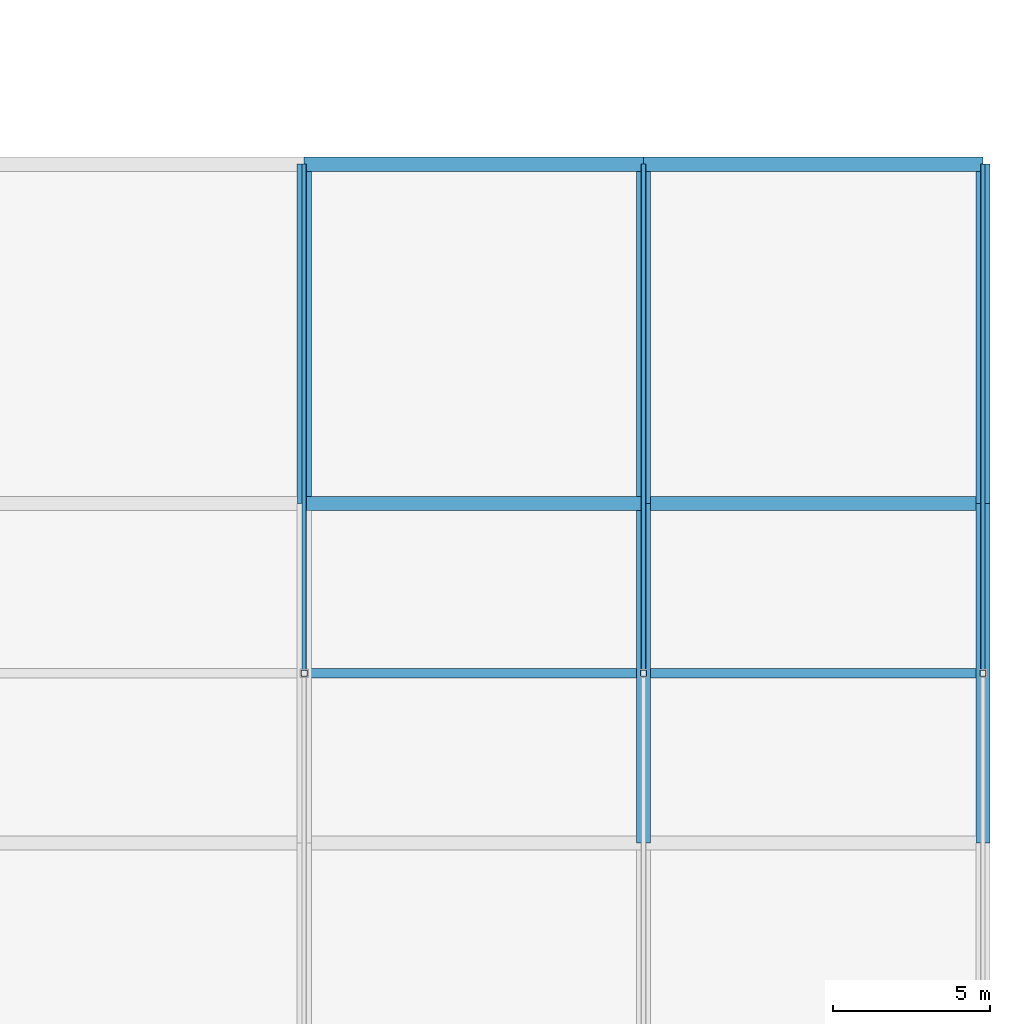
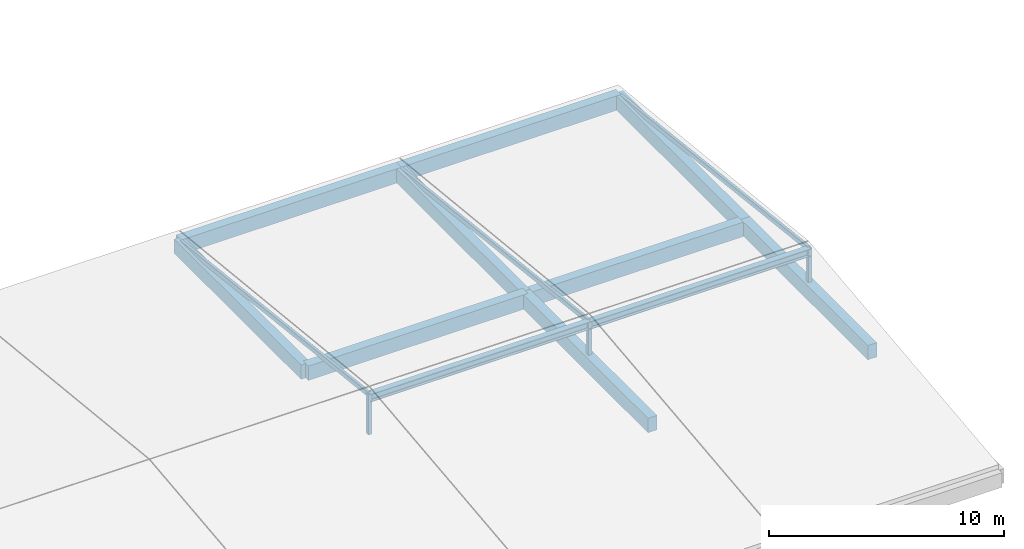
# One storey, part 60 of 112: 11 beams, 6 members.
"""IFC4 building model written with IfcOpenShell, lengths in metres."""

from ifc_helpers import new_model, si_unit, direction, frame, origin, origin_2d, place, context, subcontext, project, spatial, rectangle, hollow_rectangle, i_section, extrude, material, material_profile, profile_set, type_object, element, save


model = new_model("IFC4")

# Units and contexts
model_context = context("Model", 3, precision=1e-05, world=origin(), true_north=direction((0.0, 1.0)))
body_context = subcontext(model_context, "Body", "Model", "MODEL_VIEW")
ifc_project = project(units=[si_unit("LENGTHUNIT", "METRE"), si_unit("AREAUNIT", "SQUARE_METRE"), si_unit("VOLUMEUNIT", "CUBIC_METRE"), si_unit("PLANEANGLEUNIT", "RADIAN"), si_unit("MASSUNIT", "GRAM", prefix="KILO")], contexts=[model_context])

# Site, building, storey
site_placement = place(None, origin())
site = spatial("IfcSite", under=ifc_project, at=site_placement, CompositionType="ELEMENT")
building_placement = place(site_placement, origin())
building = spatial("IfcBuilding", under=site, at=building_placement, Name="Zwinboog Wholesale Market", CompositionType="ELEMENT")
storey_placement = place(building_placement, frame((0.0, 0.0, 19.080078125)))
storey = spatial("IfcBuildingStorey", under=building, at=storey_placement, Name="Roof", CompositionType="ELEMENT", Elevation=19.080078125)

# Beams
ifc_material_1 = material(Name="Precast concrete C45/55", Category="concrete")
ifc_material_profile_1 = material_profile(ifc_material_1, rectangle(XDim=0.449951171875, YDim=0.75, at=origin_2d()), Name="PC 450x750")
ifc_profile_set_1 = profile_set([ifc_material_profile_1], Name="Precast concrete C45/55")
beam_type_1 = type_object("IfcBeamType", Name="BT-04", PredefinedType="BEAM", material=ifc_profile_set_1)
for number, where, z_axis, x_axis, name in (
    (1, (194.39990234375, 21.60009765625, -4.695068359375), (1.0, 0.0, 0.0), (0.0, 1.0, 0.0), "BG-04 (BMG-Roof-1944-0216-1269)"),
    (2, (194.39990234375, 32.39990234375, -4.695068359375), (1.0, 0.0, 0.0), (0.0, 1.0, 0.0), "BG-04 (BMG-Roof-1944-0324-1270)"),
    (3, (205.199951171875, 21.60009765625, -4.695068359375), (1.0, 0.0, 0.0), (0.0, 1.0, 0.0), "BG-04 (BMG-Roof-2052-0216-1273)"),
    (4, (205.199951171875, 32.39990234375, -4.695068359375), (1.0, 0.0, 0.0), (0.0, 1.0, 0.0), "BG-04 (BMG-Roof-2052-0324-1274)"),
):
    element("IfcBeam", number, at=place(storey_placement, frame(where, z_axis=z_axis, x_axis=x_axis)), inside=storey, type_object=beam_type_1, Name=name, PredefinedType="BEAM", context=body_context, shape_type="SweptSolid", body=[
        extrude(rectangle(XDim=0.449951171875, YDim=0.75, at=origin_2d()), origin(), (0.0, 0.0, 1.0), 10.800048828125),
    ])
beam_1_placement = place(storey_placement, frame((194.39990234375, 21.60009765625, -4.695068359375), z_axis=(0.0, 1.0, 0.0), x_axis=(-1.0, 0.0, 0.0)))
element("IfcBeam", 5, at=beam_1_placement, inside=storey, type_object=beam_type_1, Name="BG-04 (BMG-Roof-1944-0216-1280)", PredefinedType="BEAM", context=body_context, shape_type="SweptSolid", body=[
    extrude(rectangle(XDim=0.449951171875, YDim=0.75, at=origin_2d()), origin(), (0.0, 0.0, 1.0), 10.7998046875),
])
beam_2_placement = place(storey_placement, frame((205.199951171875, 10.800048828125, -4.695068359375), z_axis=(0.0, 1.0, 0.0), x_axis=(-1.0, 0.0, 0.0)))
element("IfcBeam", 6, at=beam_2_placement, inside=storey, type_object=beam_type_1, Name="BG-04 (BMG-Roof-2052-0108-1282)", PredefinedType="BEAM", context=body_context, shape_type="SweptSolid", body=[
    extrude(rectangle(XDim=0.449951171875, YDim=0.75, at=origin_2d()), origin(), (0.0, 0.0, 1.0), 10.800048828125),
])
beam_3_placement = place(storey_placement, frame((205.199951171875, 21.60009765625, -4.695068359375), z_axis=(0.0, 1.0, 0.0), x_axis=(-1.0, 0.0, 0.0)))
element("IfcBeam", 7, at=beam_3_placement, inside=storey, type_object=beam_type_1, Name="BG-04 (BMG-Roof-2052-0216-1283)", PredefinedType="BEAM", context=body_context, shape_type="SweptSolid", body=[
    extrude(rectangle(XDim=0.449951171875, YDim=0.75, at=origin_2d()), origin(), (0.0, 0.0, 1.0), 10.7998046875),
])
beam_4_placement = place(storey_placement, frame((216.0, 10.800048828125, -4.695068359375), z_axis=(0.0, 1.0, 0.0), x_axis=(-1.0, 0.0, 0.0)))
element("IfcBeam", 8, at=beam_4_placement, inside=storey, type_object=beam_type_1, Name="BG-04 (BMG-Roof-2160-0108-1285)", PredefinedType="BEAM", context=body_context, shape_type="SweptSolid", body=[
    extrude(rectangle(XDim=0.449951171875, YDim=0.75, at=origin_2d()), origin(), (0.0, 0.0, 1.0), 10.800048828125),
])
beam_5_placement = place(storey_placement, frame((216.0, 21.60009765625, -4.695068359375), z_axis=(0.0, 1.0, 0.0), x_axis=(-1.0, 0.0, 0.0)))
element("IfcBeam", 9, at=beam_5_placement, inside=storey, type_object=beam_type_1, Name="BG-04 (BMG-Roof-2160-0216-1286)", PredefinedType="BEAM", context=body_context, shape_type="SweptSolid", body=[
    extrude(rectangle(XDim=0.449951171875, YDim=0.75, at=origin_2d()), origin(), (0.0, 0.0, 1.0), 10.7998046875),
])
ifc_material_2 = material(Name="Steel S355", Category="steel")
ifc_material_profile_2 = material_profile(ifc_material_2, i_section(OverallWidth=0.300048828125, OverallDepth=0.39990234375, WebThickness=0.013427734375, FlangeThickness=0.02392578125, FilletRadius=0.027099609375, at=origin_2d()), Name="HEB 400")
ifc_profile_set_2 = profile_set([ifc_material_profile_2], Name="Steel S355")
beam_type_2 = type_object("IfcBeamType", Name="BT-15", PredefinedType="BEAM", material=ifc_profile_set_2)
for number, where, z_axis, x_axis, name in (
    (10, (194.39990234375, 16.199951171875, -2.760009765625), (1.0, 0.0, 0.0), (0.0, 1.0, 0.0), "SB-02 (BMG-Roof-1944-0162-1321)"),
    (11, (205.199951171875, 16.199951171875, -2.760009765625), (1.0, 0.0, 0.0), (0.0, 1.0, 0.0), "SB-02 (BMG-Roof-2052-0162-1322)"),
):
    element("IfcBeam", number, at=place(storey_placement, frame(where, z_axis=z_axis, x_axis=x_axis)), inside=storey, type_object=beam_type_2, Name=name, PredefinedType="BEAM", context=body_context, shape_type="SweptSolid", body=[
        extrude(i_section(OverallWidth=0.300048828125, OverallDepth=0.39990234375, WebThickness=0.013427734375, FlangeThickness=0.02392578125, FilletRadius=0.027099609375, at=origin_2d()), origin(), (0.0, 0.0, 1.0), 10.800048828125),
    ])

# Members
ifc_material_profile_3 = material_profile(ifc_material_2, hollow_rectangle(XDim=0.14990234375, YDim=0.25, WallThickness=0.010009765625, InnerFilletRadius=0.010009765625, OuterFilletRadius=0.02001953125, at=origin_2d()), Name="RHS 250x150x10")
ifc_profile_set_3 = profile_set([ifc_material_profile_3], Name="Steel S355")
member_type_1 = type_object("IfcMemberType", Name="MT-02", PredefinedType="CHORD", material=ifc_profile_set_3)
for number, where, z_axis, x_axis, name in (
    (12, (194.39990234375, 32.39990234375, -4.469970703125), (0.0, -0.993612545096, 0.11284551488), (1.0, 0.0, 0.0), "DC-02 (MEM-Roof-0892)"),
    (13, (205.199951171875, 32.39990234375, -4.469970703125), (0.0, -0.993612545096, 0.11284551488), (1.0, 0.0, 0.0), "DC-02 (MEM-Roof-0895)"),
    (14, (216.0, 32.39990234375, -4.469970703125), (0.0, -0.993612545096, 0.11284551488), (1.0, 0.0, 0.0), "DC-02 (MEM-Roof-0898)"),
):
    element("IfcMember", number, at=place(storey_placement, frame(where, z_axis=z_axis, x_axis=x_axis)), inside=storey, type_object=member_type_1, Name=name, PredefinedType="CHORD", context=body_context, shape_type="SweptSolid", body=[
        extrude(hollow_rectangle(XDim=0.14990234375, YDim=0.25, WallThickness=0.010009765625, InnerFilletRadius=0.010009765625, OuterFilletRadius=0.02001953125, at=origin_2d()), origin(), (0.0, 0.0, 1.0), 16.30419921875),
    ])
ifc_material_profile_4 = material_profile(ifc_material_2, hollow_rectangle(XDim=0.199951171875, YDim=0.199951171875, WallThickness=0.010009765625, InnerFilletRadius=0.010009765625, OuterFilletRadius=0.02001953125, at=origin_2d()), Name="SHS 200x200x10")
ifc_profile_set_4 = profile_set([ifc_material_profile_4], Name="Steel S355")
member_type_2 = type_object("IfcMemberType", Name="MT-04", PredefinedType="BRACE", material=ifc_profile_set_4)
for number, where, z_axis, x_axis, name in (
    (15, (194.39990234375, 16.199951171875, -4.670166015625), (0.0, 0.0, 1.0), (1.0, 0.0, 0.0), "DB-01 (MEM-Roof-0890)"),
    (16, (205.199951171875, 16.199951171875, -4.670166015625), (0.0, 0.0, 1.0), (1.0, 0.0, 0.0), "DB-01 (MEM-Roof-0893)"),
    (17, (216.0, 16.199951171875, -4.670166015625), (0.0, 0.0, 1.0), (1.0, 0.0, 0.0), "DB-01 (MEM-Roof-0896)"),
):
    element("IfcMember", number, at=place(storey_placement, frame(where, z_axis=z_axis, x_axis=x_axis)), inside=storey, type_object=member_type_2, Name=name, PredefinedType="BRACE", context=body_context, shape_type="SweptSolid", body=[
        extrude(hollow_rectangle(XDim=0.199951171875, YDim=0.199951171875, WallThickness=0.010009765625, InnerFilletRadius=0.010009765625, OuterFilletRadius=0.02001953125, at=origin_2d()), origin(), (0.0, 0.0, 1.0), 2.090087890625),
    ])

save(model, "model.ifc")
